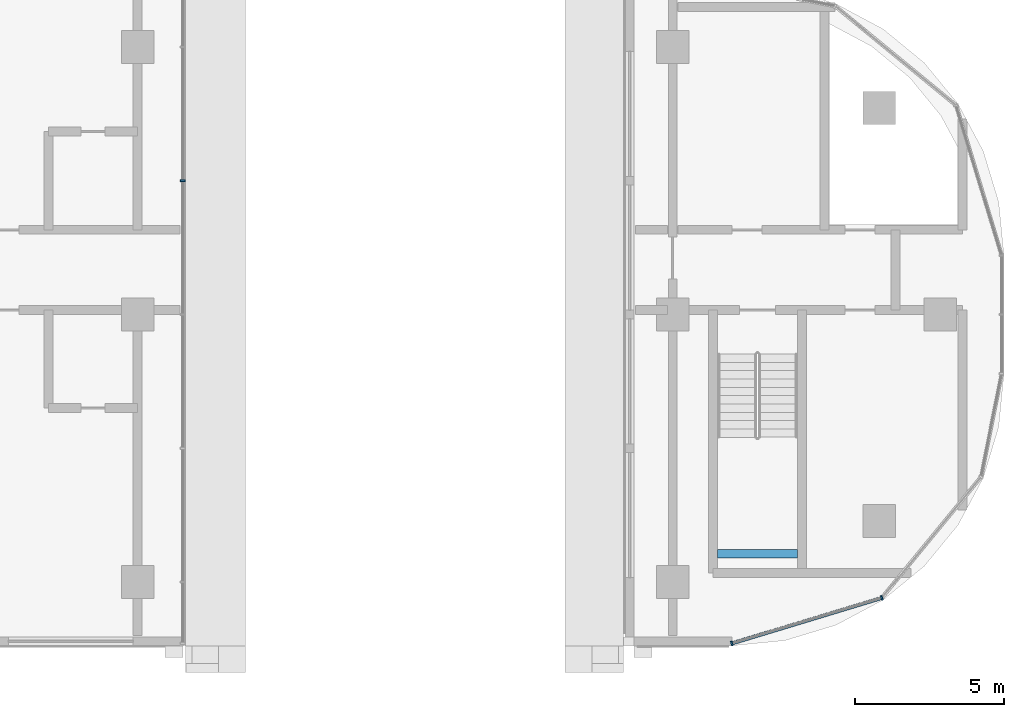
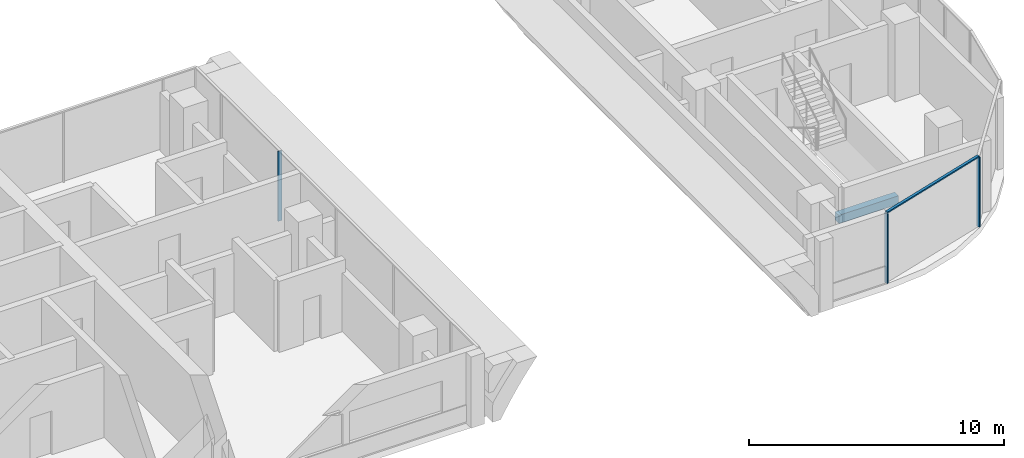
# One storey, part 3 of 23: 4 members, 1 beam, 2 elements without a shape of their own.
"""IFC4 building model written with IfcOpenShell, lengths in metres."""

from ifc_helpers import new_model, si_unit, direction, frame, origin, origin_2d, place, context, subcontext, project, spatial, rectangle, extrude, material, material_profile, profile_set, type_object, element, aggregate, save


model = new_model("IFC4")

# Units and contexts
model_context = context("Model", 3, precision=1e-05, world=origin(), true_north=direction((0.0, 1.0)))
body_context = subcontext(model_context, "Body", "Model", "MODEL_VIEW")
ifc_project = project(units=[si_unit("LENGTHUNIT", "METRE"), si_unit("AREAUNIT", "SQUARE_METRE"), si_unit("VOLUMEUNIT", "CUBIC_METRE"), si_unit("PLANEANGLEUNIT", "RADIAN"), si_unit("MASSUNIT", "GRAM", prefix="KILO")], contexts=[model_context])

# Site, building, storey
site_placement = place(None, origin())
site = spatial("IfcSite", under=ifc_project, at=site_placement, CompositionType="ELEMENT")
building_placement = place(site_placement, origin())
building = spatial("IfcBuilding", under=site, at=building_placement, Name="Ogive Portal Towers", CompositionType="ELEMENT")
storey_placement = place(building_placement, frame((0.0, 0.0, 175.5)))
storey = spatial("IfcBuildingStorey", under=building, at=storey_placement, Name="L43", CompositionType="ELEMENT", Elevation=175.5)

# Beam
ifc_material_1 = material(Name="Concrete C40/50", Category="concrete")
ifc_material_profile_1 = material_profile(ifc_material_1, rectangle(XDim=0.300048828125, YDim=0.39990234375, at=origin_2d()), Name="RC 300x400")
ifc_profile_set_1 = profile_set([ifc_material_profile_1], Name="Concrete C40/50")
beam_type = type_object("IfcBeamType", Name="BEAM RC 300x400", PredefinedType="BEAM", material=ifc_profile_set_1)
beam_placement = place(storey_placement, frame((87.0, 22.449951171875, 1.449951171875), z_axis=(1.0, 0.0, 0.0), x_axis=(0.0, 1.0, 0.0)))
element("IfcBeam", 1, at=beam_placement, inside=storey, type_object=beam_type, Name="Landing beam L43", PredefinedType="BEAM", context=body_context, shape_type="SweptSolid", body=[
    extrude(rectangle(XDim=0.300048828125, YDim=0.39990234375, at=origin_2d()), origin(), (0.0, 0.0, 1.0), 2.699951171875),
])

# Curtain wall, member
ifc_material_2 = material(Name="Glass, clear low-iron insulated glazing", Category="glass")
curtain_wall_type = type_object("IfcCurtainWallType", Name="CW FRONT RIBBON 4500", PredefinedType="NOTDEFINED", material=ifc_material_2)
curtain_wall_1_placement = place(storey_placement, origin())
curtain_wall_1 = element("IfcCurtainWall", 2, at=curtain_wall_1_placement, inside=storey, type_object=curtain_wall_type, Name="A:L43:f09:cw0", PredefinedType="NOTDEFINED")
ifc_material_3 = material(Name="Aluminium 6063 anodised", Category="aluminium")
ifc_material_profile_2 = material_profile(ifc_material_3, rectangle(XDim=0.159912109375, YDim=0.06005859375, at=origin_2d()), Name="AL 60x160")
ifc_profile_set_2 = profile_set([ifc_material_profile_2], Name="Aluminium 6063 anodised")
member_type_1 = type_object("IfcMemberType", Name="CW MULLION 60x160", PredefinedType="MULLION", material=ifc_profile_set_2)
member_1_placement = place(storey_placement, frame((69.02001953125, 35.0, 0.0), z_axis=(0.0, 0.0, 1.0), x_axis=(-1.0, 0.0, 0.0)))
member_1 = element("IfcMember", 3, at=member_1_placement, type_object=member_type_1, Name="mullion", PredefinedType="MULLION", context=body_context, shape_type="SweptSolid", body=[
    extrude(rectangle(XDim=0.159912109375, YDim=0.06005859375, at=origin_2d()), origin(), (0.0, 0.0, 1.0), 3.340087890625),
])
aggregate(curtain_wall_1, [member_1])

# Curtain wall, members
curtain_wall_2_placement = place(storey_placement, origin())
curtain_wall_2 = element("IfcCurtainWall", 4, at=curtain_wall_2_placement, inside=storey, type_object=curtain_wall_type, Name="A:L43:f27:cwa", PredefinedType="NOTDEFINED")
member_2_placement = place(storey_placement, frame((87.488037109375, 19.43505859375, 0.0), z_axis=(0.0, 0.0, 1.0), x_axis=(-0.290284677254, 0.956940335732, 0.0)))
member_2 = element("IfcMember", 5, at=member_2_placement, type_object=member_type_1, Name="mullion", PredefinedType="MULLION", context=body_context, shape_type="SweptSolid", body=[
    extrude(rectangle(XDim=0.159912109375, YDim=0.06005859375, at=origin_2d()), origin(), (0.0, 0.0, 1.0), 3.340087890625),
])
member_3_placement = place(storey_placement, frame((92.5341796875, 20.9658203125, 0.0), z_axis=(0.0, 0.0, 1.0), x_axis=(-0.290284677254, 0.956940335732, 0.0)))
member_3 = element("IfcMember", 6, at=member_3_placement, type_object=member_type_1, Name="mullion", PredefinedType="MULLION", context=body_context, shape_type="SweptSolid", body=[
    extrude(rectangle(XDim=0.159912109375, YDim=0.06005859375, at=origin_2d()), origin(), (0.0, 0.0, 1.0), 3.340087890625),
])
ifc_material_profile_3 = material_profile(ifc_material_3, rectangle(XDim=0.1201171875, YDim=0.06005859375, at=origin_2d()), Name="AL 120x60")
ifc_profile_set_3 = profile_set([ifc_material_profile_3], Name="Aluminium 6063 anodised")
member_type_2 = type_object("IfcMemberType", Name="CW TRANSOM 60x120", PredefinedType="USERDEFINED", material=ifc_profile_set_3)
member_4_placement = place(storey_placement, frame((87.488037109375, 19.43505859375, 3.3701171875), z_axis=(0.956938697275, 0.290290078471, 0.0), x_axis=(-0.290290078471, 0.956938697275, 0.0)))
member_4 = element("IfcMember", 7, at=member_4_placement, type_object=member_type_2, Name="transom", ObjectType="TRANSOM", PredefinedType="USERDEFINED", context=body_context, shape_type="SweptSolid", body=[
    extrude(rectangle(XDim=0.1201171875, YDim=0.06005859375, at=origin_2d()), origin(), (0.0, 0.0, 1.0), 5.273193359375),
])
aggregate(curtain_wall_2, [member_4, member_2, member_3])

save(model, "model.ifc")
